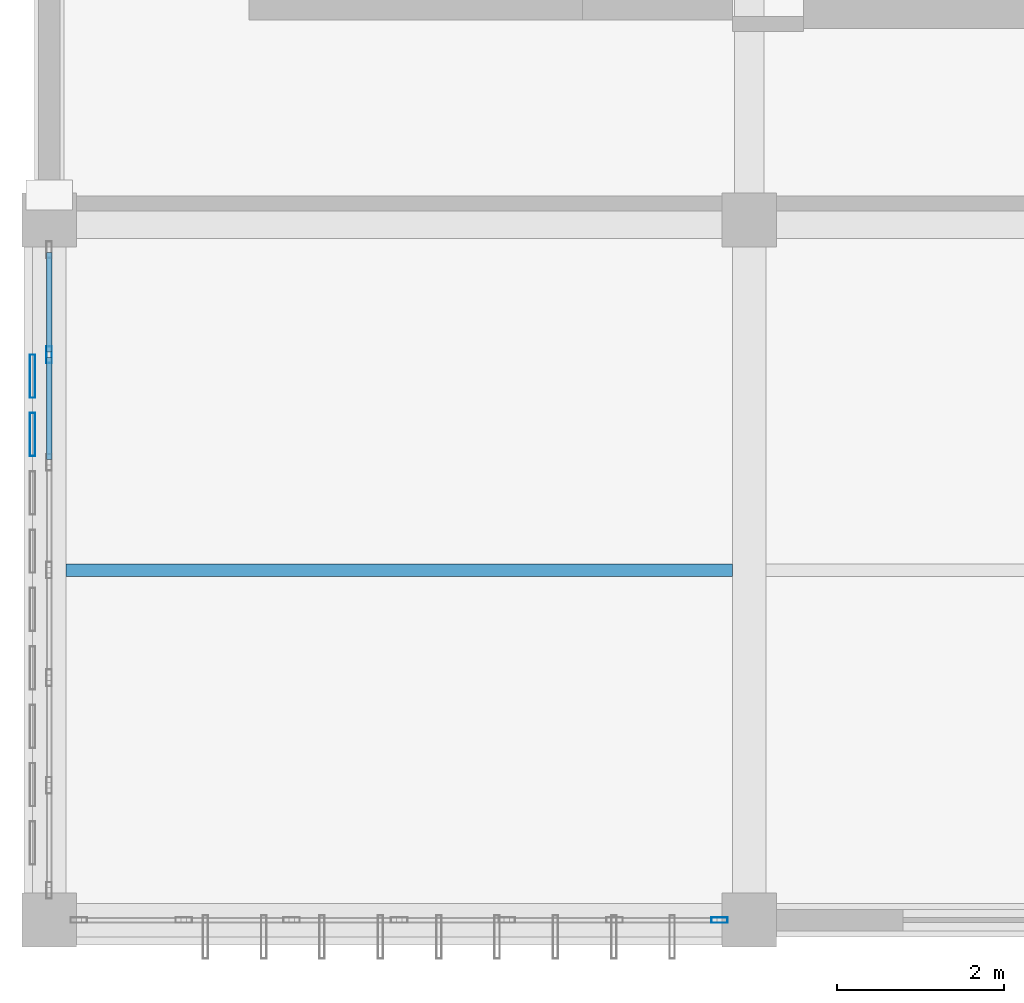
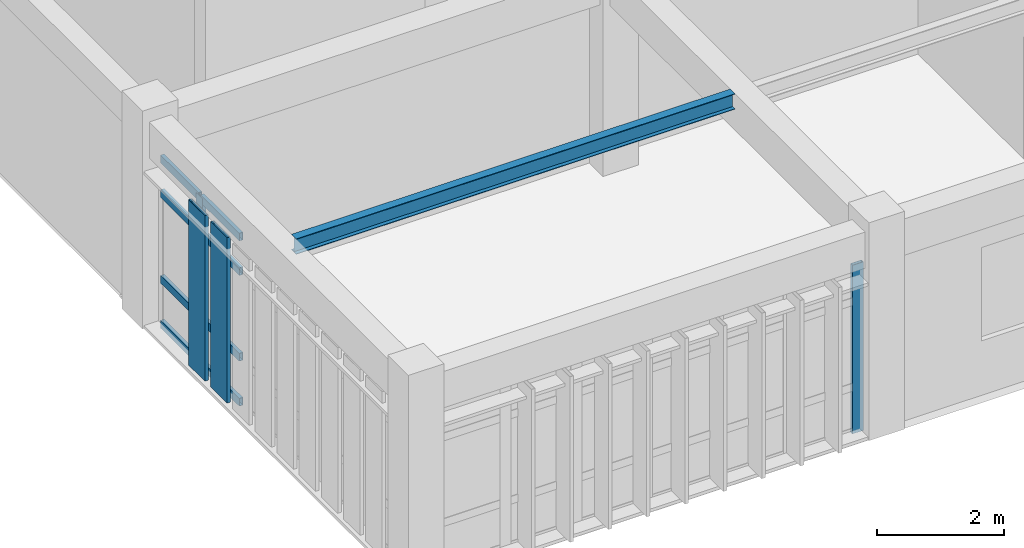
# One storey, part 5 of 23: 12 members, 1 beam, 2 elements without a shape of their own.
"""IFC4 building model written with IfcOpenShell, lengths in metres."""

import ifcopenshell
import ifcopenshell.guid

model = None  # the IFC model being written
_history = None  # IfcOwnerHistory: only IFC2X3 demands one
_inside = {}  # id of a spatial element -> (the spatial element, [elements in it])
_under = {}  # id of a project, library or spatial element -> (it, [spatial elements below it])
_declared = {}  # id of a project -> (the project, [libraries it declares])
_typed = {}  # id of a type object -> (the type object, [elements of that type])
_made_of = {}  # id of a material, layer set ... -> (it, [elements and type objects made of it])


def new_model(schema):
    """Start an empty IFC model of exactly this schema.

    Asked for "IFC4X3", IfcOpenShell would pick the latest addendum, in which some entities
    have other attributes; the version numbers below select the first issue.
    IFC2X3 requires an IfcOwnerHistory on every rooted entity: one is made here for all.
    """
    global model, _history
    if schema == "IFC4X3":
        model = ifcopenshell.file(schema_version=(4, 3, 0, 0))
    else:
        model = ifcopenshell.file(schema=schema)
    _inside.clear()
    _under.clear()
    _declared.clear()
    _typed.clear()
    _made_of.clear()
    _history = None
    if model.schema == "IFC2X3":
        org = make("IfcOrganization", Name="unknown")
        user = make(
            "IfcPersonAndOrganization",
            ThePerson=make("IfcPerson", FamilyName="unknown"),
            TheOrganization=org,
        )
        app = make(
            "IfcApplication",
            ApplicationDeveloper=org,
            Version="unknown",
            ApplicationFullName="unknown",
            ApplicationIdentifier="unknown",
        )
        _history = make(
            "IfcOwnerHistory",
            OwningUser=user,
            OwningApplication=app,
            ChangeAction="ADDED",
            CreationDate=0,
        )
    return model


def make(cls, **values):
    """One entity of the class cls with the attributes given. An attribute that is None is left unset."""
    return model.create_entity(
        cls, **{name: value for name, value in values.items() if value is not None}
    )


def rooted(cls, **values):
    """An entity with a GlobalId (a new one), such as an element, a storey or a relation."""
    return make(cls, GlobalId=ifcopenshell.guid.new(), OwnerHistory=_history, **values)


def si_unit(unit_type, name, prefix=None):
    """IfcSIUnit, for example si_unit("LENGTHUNIT", "METRE", prefix="MILLI")."""
    return make("IfcSIUnit", UnitType=unit_type, Prefix=prefix, Name=name)


def assignment(units):
    """IfcUnitAssignment: the units of a project."""
    return None if units is None else make("IfcUnitAssignment", Units=units)


def point(xyz):
    """IfcCartesianPoint."""
    return None if xyz is None else make("IfcCartesianPoint", Coordinates=xyz)


def direction(xyz):
    """IfcDirection."""
    return None if xyz is None else make("IfcDirection", DirectionRatios=xyz)


def frame(location, z_axis=None, x_axis=None):
    """IfcAxis2Placement3D, a coordinate frame: its origin and axes. An axis left out is left unset."""
    return make(
        "IfcAxis2Placement3D",
        Location=point(location),
        Axis=direction(z_axis),
        RefDirection=direction(x_axis),
    )


def frame_2d(location, x_axis=None):
    """IfcAxis2Placement2D, a coordinate frame in the plane: its origin and x axis."""
    return make(
        "IfcAxis2Placement2D", Location=point(location), RefDirection=direction(x_axis)
    )


def origin():
    """The frame at (0, 0, 0) with its axes left unset."""
    return frame((0.0, 0.0, 0.0))


def origin_2d():
    """The frame at (0, 0) in the plane with its x axis left unset."""
    return frame_2d((0.0, 0.0))


def place(relative_to, where):
    """IfcLocalPlacement: puts the frame where relative to a parent placement (None: the world)."""
    return make(
        "IfcLocalPlacement", PlacementRelTo=relative_to, RelativePlacement=where
    )


def context(
    kind, dimensions, precision=None, world=None, true_north=None, identifier=None
):
    """IfcGeometricRepresentationContext, for example the 3D "Model" context."""
    return make(
        "IfcGeometricRepresentationContext",
        ContextIdentifier=identifier,
        ContextType=kind,
        CoordinateSpaceDimension=dimensions,
        Precision=precision,
        WorldCoordinateSystem=world,
        TrueNorth=true_north,
    )


def subcontext(parent, identifier, kind, view, scale=None):
    """IfcGeometricRepresentationSubContext, for example "Body" below "Model"."""
    return make(
        "IfcGeometricRepresentationSubContext",
        ContextIdentifier=identifier,
        ContextType=kind,
        ParentContext=parent,
        TargetScale=scale,
        TargetView=view,
    )


def project(units=None, contexts=None):
    """IfcProject with its units and contexts."""
    return rooted(
        "IfcProject",
        Name="project",
        RepresentationContexts=contexts,
        UnitsInContext=assignment(units),
    )


def spatial(cls, under=None, at=None, **own):
    """A site, building, storey or space (cls), placed at a placement, below another one or the project."""
    s = rooted(cls, ObjectPlacement=at, **own)
    if under is not None:
        _under.setdefault(under.id(), (under, []))[1].append(s)
    return s


def profile(cls, at=None, kind="AREA", **sizes):
    """A parametric profile (cls). Its sizes go by their IFC names, for example OverallWidth=200.0."""
    return make(cls, ProfileType=kind, Position=at, **sizes)


def hollow_rectangle(**sizes):
    """IfcRectangleHollowProfileDef."""
    return profile("IfcRectangleHollowProfileDef", **sizes)


def i_section(**sizes):
    """IfcIShapeProfileDef."""
    return profile("IfcIShapeProfileDef", **sizes)


def extrude(swept, where, along, depth):
    """IfcExtrudedAreaSolid: the profile swept, set in the frame where, extruded along a direction by depth."""
    return make(
        "IfcExtrudedAreaSolid",
        SweptArea=swept,
        Position=where,
        ExtrudedDirection=direction(along),
        Depth=depth,
    )


def shape(context_of_items, identifier, shape_type, items):
    """IfcShapeRepresentation: the items that make up one representation, for example the "Body"."""
    return make(
        "IfcShapeRepresentation",
        ContextOfItems=context_of_items,
        RepresentationIdentifier=identifier,
        RepresentationType=shape_type,
        Items=items,
    )


def material(Name=None, Category=None):
    """IfcMaterial."""
    return make("IfcMaterial", Name=Name, Category=Category)


def layer(
    of_material, thickness, ventilated=None, Name=None, Category=None, Priority=None
):
    """IfcMaterialLayer: one layer of a wall or slab, of a material (None: an air gap)."""
    return make(
        "IfcMaterialLayer",
        Material=of_material,
        LayerThickness=thickness,
        IsVentilated=ventilated,
        Name=Name,
        Category=Category,
        Priority=Priority,
    )


def layer_set(layers, Name=None):
    """IfcMaterialLayerSet."""
    return make("IfcMaterialLayerSet", MaterialLayers=layers, LayerSetName=Name)


def material_profile(
    of_material, cross_section, Name=None, Category=None, Priority=None
):
    """IfcMaterialProfile: a cross section and its material."""
    return make(
        "IfcMaterialProfile",
        Name=Name,
        Material=of_material,
        Profile=cross_section,
        Priority=Priority,
        Category=Category,
    )


def profile_set(profiles, Name=None, composite=None):
    """IfcMaterialProfileSet."""
    return make(
        "IfcMaterialProfileSet",
        Name=Name,
        MaterialProfiles=profiles,
        CompositeProfile=composite,
    )


def made_of(thing, what):
    """Note that an element or type object is made of a material, layer set ...; save() writes the relation."""
    if what is not None:
        _made_of.setdefault(what.id(), (what, []))[1].append(thing)
    return thing


def type_object(cls, material=None, **own):
    """A type object (cls), such as IfcWallType, which elements share."""
    return made_of(rooted(cls, **own), material)


def element(
    cls,
    number,
    at=None,
    inside=None,
    cuts=None,
    type_object=None,
    material=None,
    context=None,
    identifier="Body",
    shape_type=None,
    held_by="IfcProductDefinitionShape",
    body=None,
    shapes=None,
    **own,
):
    """One element of the class cls, such as IfcWall. Its Tag is "e" and its number.

    at: its placement. inside: the storey or other place that contains it. cuts: it is an
    opening in that element (IfcRelVoidsElement). A single representation is given by context,
    identifier, shape_type and body (its items); several are given by shapes. held_by: the class
    of the entity that holds the representations. save() writes the other relations.
    """
    e = rooted(cls, Tag="e%d" % number, ObjectPlacement=at, **own)
    if body is not None:
        shapes = [shape(context, identifier, shape_type, body)]
    if shapes is not None:
        e.Representation = make(held_by, Representations=shapes)
    if inside is not None:
        _inside.setdefault(inside.id(), (inside, []))[1].append(e)
    if cuts is not None:
        rooted(
            "IfcRelVoidsElement", RelatingBuildingElement=cuts, RelatedOpeningElement=e
        )
    if type_object is not None:
        _typed.setdefault(type_object.id(), (type_object, []))[1].append(e)
    return made_of(e, material)


def aggregate(whole, parts):
    """IfcRelAggregates: a whole, such as a stair, and the parts it consists of."""
    return rooted("IfcRelAggregates", RelatingObject=whole, RelatedObjects=parts)


def save(model, path):
    """Write the relations noted so far, then the file.

    IfcRelAggregates (storeys below a building ...), IfcRelContainedInSpatialStructure (elements
    in a storey), IfcRelDefinesByType, IfcRelAssociatesMaterial and IfcRelDeclares: one each for
    every whole, place, type object, material and project.
    """
    for whole, parts in _under.values():
        aggregate(whole, parts)
    for where, things in _inside.values():
        rooted(
            "IfcRelContainedInSpatialStructure",
            RelatedElements=things,
            RelatingStructure=where,
        )
    for kind, things in _typed.values():
        rooted("IfcRelDefinesByType", RelatedObjects=things, RelatingType=kind)
    for what, things in _made_of.values():
        rooted("IfcRelAssociatesMaterial", RelatedObjects=things, RelatingMaterial=what)
    for by, libraries in _declared.values():
        rooted("IfcRelDeclares", RelatingContext=by, RelatedDefinitions=libraries)
    model.write(path)


model = new_model("IFC4")

# Units and contexts
model_context = context("Model", 3, precision=1e-05, world=origin(), true_north=direction((0.0, 1.0)))
body_context = subcontext(model_context, "Body", "Model", "MODEL_VIEW")
ifc_project = project(units=[si_unit("LENGTHUNIT", "METRE"), si_unit("AREAUNIT", "SQUARE_METRE"), si_unit("VOLUMEUNIT", "CUBIC_METRE"), si_unit("PLANEANGLEUNIT", "RADIAN"), si_unit("MASSUNIT", "GRAM", prefix="KILO")], contexts=[model_context])

# Site, building, storey
site_placement = place(None, origin())
site = spatial("IfcSite", under=ifc_project, at=site_placement, CompositionType="ELEMENT")
building_placement = place(site_placement, origin())
building = spatial("IfcBuilding", under=site, at=building_placement, Name="Krzemoval Escarpment Law Courts", CompositionType="ELEMENT")
storey_placement = place(building_placement, frame((0.0, 0.0, 33.60009765625)))
storey = spatial("IfcBuildingStorey", under=building, at=storey_placement, Name="L07", CompositionType="ELEMENT", Elevation=33.60009765625)

# Curtain wall, member
ifc_material_1 = material(Name="Aluminium 6063-T6", Category="aluminium")
ifc_layer = layer(ifc_material_1, 0.219970703125)
ifc_layer_set = layer_set([ifc_layer], Name="Aluminium 6063-T6")
curtain_wall_type = type_object("IfcCurtainWallType", Name="CW-CHMB-4200", PredefinedType="USERDEFINED", material=ifc_layer_set)
curtain_wall_1_placement = place(storey_placement, origin())
curtain_wall_1 = element("IfcCurtainWall", 1, at=curtain_wall_1_placement, inside=storey, type_object=curtain_wall_type, Name="Unitised Curtain Wall FCW-L07-154", ObjectType="UNITISED_CURTAIN_WALL", PredefinedType="USERDEFINED")
ifc_material_2 = material(Name="Aluminium 6063-T6", Category="aluminium")
ifc_material_profile_1 = material_profile(ifc_material_2, hollow_rectangle(XDim=0.06494140625, YDim=0.199951171875, WallThickness=0.00439453125, at=origin_2d()), Name="ALU M65x200")
ifc_profile_set_1 = profile_set([ifc_material_profile_1], Name="Aluminium 6063-T6")
member_type_1 = type_object("IfcMemberType", Name="CWM-65x200", PredefinedType="MULLION", material=ifc_profile_set_1)
member_1_placement = place(storey_placement, frame((134.04248046875, 85.199951171875, 0.0), z_axis=(0.0, 0.0, 1.0), x_axis=(0.0, -1.0, 0.0)))
member_1 = element("IfcMember", 2, at=member_1_placement, type_object=member_type_1, Name="FCW-L07-154 mullion 1", PredefinedType="MULLION", context=body_context, shape_type="SweptSolid", body=[
    extrude(hollow_rectangle(XDim=0.06494140625, YDim=0.199951171875, WallThickness=0.00439453125, at=origin_2d()), origin(), (0.0, 0.0, 1.0), 3.25),
])
aggregate(curtain_wall_1, [member_1])

# Curtain wall, members
curtain_wall_2_placement = place(storey_placement, origin())
curtain_wall_2 = element("IfcCurtainWall", 3, at=curtain_wall_2_placement, inside=storey, type_object=curtain_wall_type, Name="Unitised Curtain Wall FCW-L07-155", ObjectType="UNITISED_CURTAIN_WALL", PredefinedType="USERDEFINED")
member_2_placement = place(storey_placement, frame((126.0, 91.9833984375, 0.0), z_axis=(0.0, 0.0, 1.0), x_axis=(-1.0, 0.0, 0.0)))
member_2 = element("IfcMember", 4, at=member_2_placement, type_object=member_type_1, Name="FCW-L07-155 mullion 6", PredefinedType="MULLION", context=body_context, shape_type="SweptSolid", body=[
    extrude(hollow_rectangle(XDim=0.06494140625, YDim=0.199951171875, WallThickness=0.00439453125, at=origin_2d()), origin(), (0.0, 0.0, 1.0), 3.25),
])
ifc_material_3 = material(Name="Aluminium 6063-T6", Category="aluminium")
ifc_material_profile_2 = material_profile(ifc_material_3, hollow_rectangle(XDim=0.06494140625, YDim=0.14990234375, WallThickness=0.00439453125, at=origin_2d()), Name="ALU T65x150")
ifc_profile_set_2 = profile_set([ifc_material_profile_2], Name="Aluminium 6063-T6")
member_type_2 = type_object("IfcMemberType", Name="CWT-65x150", PredefinedType="USERDEFINED", material=ifc_profile_set_2)
member_3_placement = place(storey_placement, frame((126.0, 90.72412109375, 0.032470703125), z_axis=(0.0, 1.0, 0.0), x_axis=(-1.0, 0.0, 0.0)))
member_3 = element("IfcMember", 5, at=member_3_placement, type_object=member_type_2, Name="FCW-L07-155 transom 5.1", ObjectType="TRANSOM", PredefinedType="USERDEFINED", context=body_context, shape_type="SweptSolid", body=[
    extrude(hollow_rectangle(XDim=0.06494140625, YDim=0.14990234375, WallThickness=0.00439453125, at=origin_2d()), origin(), (0.0, 0.0, 1.0), 1.226806640625),
])
member_4_placement = place(storey_placement, frame((126.0, 90.72412109375, 0.89990234375), z_axis=(0.0, 1.0, 0.0), x_axis=(-1.0, 0.0, 0.0)))
member_4 = element("IfcMember", 6, at=member_4_placement, type_object=member_type_2, Name="FCW-L07-155 transom 5.2", ObjectType="TRANSOM", PredefinedType="USERDEFINED", context=body_context, shape_type="SweptSolid", body=[
    extrude(hollow_rectangle(XDim=0.06494140625, YDim=0.14990234375, WallThickness=0.00439453125, at=origin_2d()), origin(), (0.0, 0.0, 1.0), 1.226806640625),
])
member_5_placement = place(storey_placement, frame((126.0, 90.72412109375, 2.5498046875), z_axis=(0.0, 1.0, 0.0), x_axis=(-1.0, 0.0, 0.0)))
member_5 = element("IfcMember", 7, at=member_5_placement, type_object=member_type_2, Name="FCW-L07-155 transom 5.3", ObjectType="TRANSOM", PredefinedType="USERDEFINED", context=body_context, shape_type="SweptSolid", body=[
    extrude(hollow_rectangle(XDim=0.06494140625, YDim=0.14990234375, WallThickness=0.00439453125, at=origin_2d()), origin(), (0.0, 0.0, 1.0), 1.226806640625),
])
member_6_placement = place(storey_placement, frame((126.0, 90.72412109375, 3.21728515625), z_axis=(0.0, 1.0, 0.0), x_axis=(-1.0, 0.0, 0.0)))
member_6 = element("IfcMember", 8, at=member_6_placement, type_object=member_type_2, Name="FCW-L07-155 transom 5.4", ObjectType="TRANSOM", PredefinedType="USERDEFINED", context=body_context, shape_type="SweptSolid", body=[
    extrude(hollow_rectangle(XDim=0.06494140625, YDim=0.14990234375, WallThickness=0.00439453125, at=origin_2d()), origin(), (0.0, 0.0, 1.0), 1.226806640625),
])
member_7_placement = place(storey_placement, frame((126.0, 92.015869140625, 0.032470703125), z_axis=(0.0, 1.0, 0.0), x_axis=(-1.0, 0.0, 0.0)))
member_7 = element("IfcMember", 9, at=member_7_placement, type_object=member_type_2, Name="FCW-L07-155 transom 6.1", ObjectType="TRANSOM", PredefinedType="USERDEFINED", context=body_context, shape_type="SweptSolid", body=[
    extrude(hollow_rectangle(XDim=0.06494140625, YDim=0.14990234375, WallThickness=0.00439453125, at=origin_2d()), origin(), (0.0, 0.0, 1.0), 1.194091796875),
])
member_8_placement = place(storey_placement, frame((126.0, 92.015869140625, 0.89990234375), z_axis=(0.0, 1.0, 0.0), x_axis=(-1.0, 0.0, 0.0)))
member_8 = element("IfcMember", 10, at=member_8_placement, type_object=member_type_2, Name="FCW-L07-155 transom 6.2", ObjectType="TRANSOM", PredefinedType="USERDEFINED", context=body_context, shape_type="SweptSolid", body=[
    extrude(hollow_rectangle(XDim=0.06494140625, YDim=0.14990234375, WallThickness=0.00439453125, at=origin_2d()), origin(), (0.0, 0.0, 1.0), 1.194091796875),
])
member_9_placement = place(storey_placement, frame((126.0, 92.015869140625, 2.5498046875), z_axis=(0.0, 1.0, 0.0), x_axis=(-1.0, 0.0, 0.0)))
member_9 = element("IfcMember", 11, at=member_9_placement, type_object=member_type_2, Name="FCW-L07-155 transom 6.3", ObjectType="TRANSOM", PredefinedType="USERDEFINED", context=body_context, shape_type="SweptSolid", body=[
    extrude(hollow_rectangle(XDim=0.06494140625, YDim=0.14990234375, WallThickness=0.00439453125, at=origin_2d()), origin(), (0.0, 0.0, 1.0), 1.194091796875),
])
member_10_placement = place(storey_placement, frame((126.0, 92.015869140625, 3.21728515625), z_axis=(0.0, 1.0, 0.0), x_axis=(-1.0, 0.0, 0.0)))
member_10 = element("IfcMember", 12, at=member_10_placement, type_object=member_type_2, Name="FCW-L07-155 transom 6.4", ObjectType="TRANSOM", PredefinedType="USERDEFINED", context=body_context, shape_type="SweptSolid", body=[
    extrude(hollow_rectangle(XDim=0.06494140625, YDim=0.14990234375, WallThickness=0.00439453125, at=origin_2d()), origin(), (0.0, 0.0, 1.0), 1.194091796875),
])
aggregate(curtain_wall_2, [member_2, member_3, member_4, member_5, member_6, member_7, member_8, member_9, member_10])

# Beam
ifc_material_4 = material(Name="Steel S355", Category="steel")
ifc_material_profile_3 = material_profile(ifc_material_4, i_section(OverallWidth=0.14990234375, OverallDepth=0.300048828125, WebThickness=0.007080078125, FlangeThickness=0.0107421875, at=origin_2d()), Name="IPE 300")
ifc_profile_set_3 = profile_set([ifc_material_profile_3], Name="Steel S355")
beam_type = type_object("IfcBeamType", Name="JST-S355-IPE300", PredefinedType="JOIST", material=ifc_profile_set_3)
beam_placement = place(storey_placement, frame((126.199951171875, 89.39990234375, 3.7998046875), z_axis=(1.0, 0.0, 0.0), x_axis=(0.0, 1.0, 0.0)))
element("IfcBeam", 13, at=beam_placement, inside=storey, type_object=beam_type, Name="Secondary Joist FJ-L07-2741", PredefinedType="JOIST", context=body_context, shape_type="SweptSolid", body=[
    extrude(i_section(OverallWidth=0.14990234375, OverallDepth=0.300048828125, WebThickness=0.007080078125, FlangeThickness=0.0107421875, at=origin_2d()), origin(), (0.0, 0.0, 1.0), 8.0),
])

# Members
ifc_material_5 = material(Name="Anodised Aluminium Alloy 6063-T6", Category="aluminium")
ifc_material_profile_4 = material_profile(ifc_material_5, hollow_rectangle(XDim=0.06494140625, YDim=0.52001953125, WallThickness=0.00439453125, at=origin_2d()), Name="ALU LVR 65x520")
ifc_profile_set_4 = profile_set([ifc_material_profile_4], Name="Anodised Aluminium Alloy 6063-T6")
member_type_3 = type_object("IfcMemberType", Name="LVR-ALU-520", PredefinedType="USERDEFINED", material=ifc_profile_set_4)
for number, where, z_axis, x_axis, name in (
    (14, (125.800048828125, 91.02490234375, 0.059814453125), (0.0, 0.0, 1.0), (1.0, 0.0, 0.0), "Sunshade Louvre Fin FLV-L07-1028"),
    (15, (125.800048828125, 91.72509765625, 0.059814453125), (0.0, 0.0, 1.0), (1.0, 0.0, 0.0), "Sunshade Louvre Fin FLV-L07-1029"),
):
    element("IfcMember", number, at=place(storey_placement, frame(where, z_axis=z_axis, x_axis=x_axis)), inside=storey, type_object=member_type_3, Name=name, ObjectType="SUNSHADE_LOUVRE", PredefinedType="USERDEFINED", context=body_context, shape_type="SweptSolid", body=[
        extrude(hollow_rectangle(XDim=0.06494140625, YDim=0.52001953125, WallThickness=0.00439453125, at=origin_2d()), origin(), (0.0, 0.0, 1.0), 3.190185546875),
    ])

save(model, "model.ifc")
